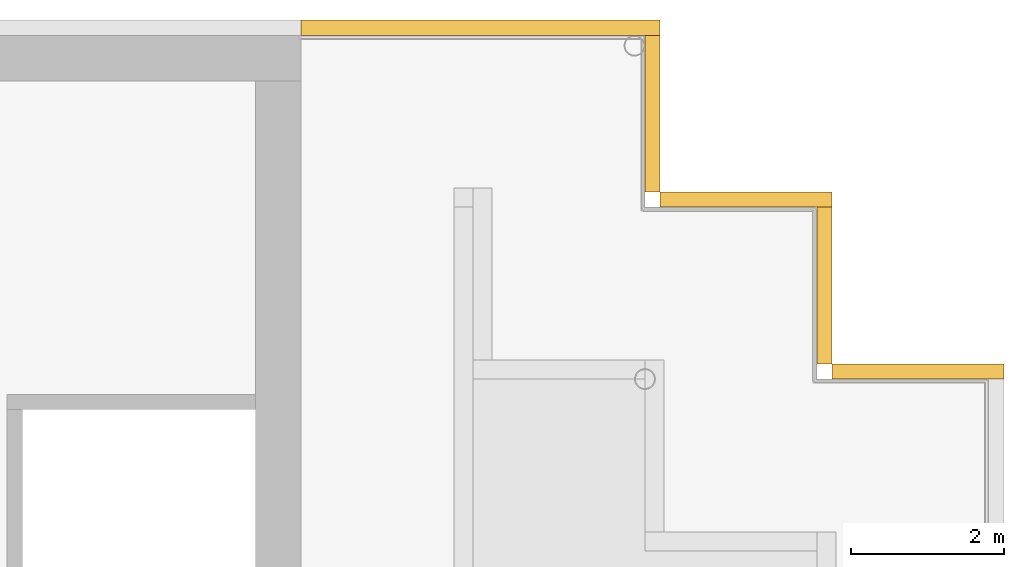
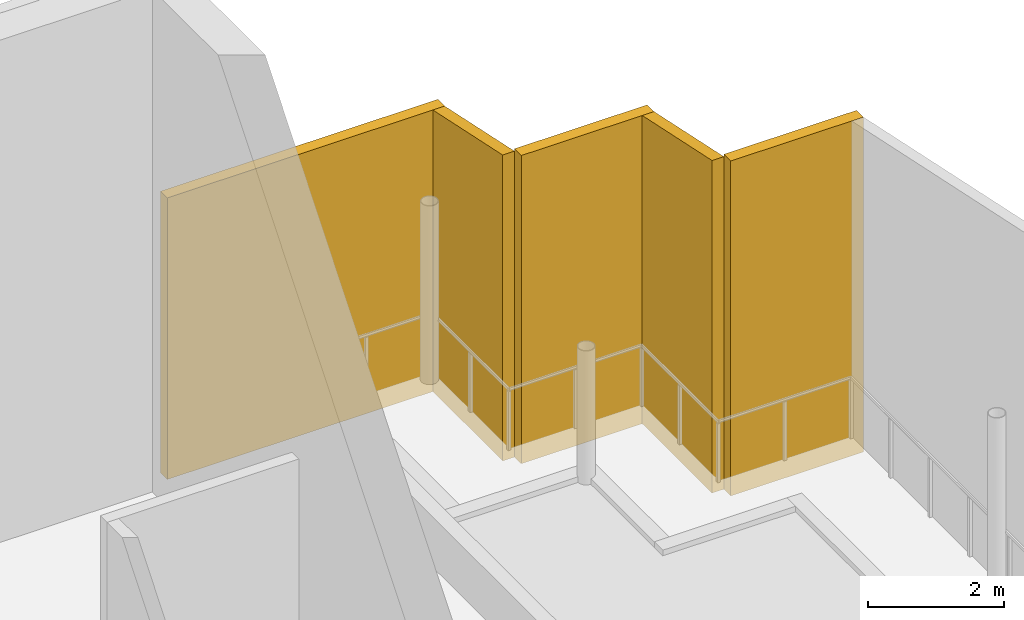
# One storey, part 8 of 9: 5 shading devices.
"""IFC4 building model written with IfcOpenShell, lengths in metres."""

from ifc_helpers import new_model, si_unit, direction, frame, origin, place, context, subcontext, project, spatial, polyline, outline, extrude, material, layer, layer_set, type_object, element, save


model = new_model("IFC4")

# Units and contexts
model_context = context("Model", 3, precision=1e-05, world=origin(), true_north=direction((0.0, 1.0)))
body_context = subcontext(model_context, "Body", "Model", "MODEL_VIEW")
ifc_project = project(units=[si_unit("LENGTHUNIT", "METRE"), si_unit("AREAUNIT", "SQUARE_METRE"), si_unit("VOLUMEUNIT", "CUBIC_METRE"), si_unit("PLANEANGLEUNIT", "RADIAN"), si_unit("MASSUNIT", "GRAM", prefix="KILO")], contexts=[model_context])

# Site, building, storey
site_placement = place(None, origin())
site = spatial("IfcSite", under=ifc_project, at=site_placement, CompositionType="ELEMENT")
building_placement = place(site_placement, origin())
building = spatial("IfcBuilding", under=site, at=building_placement, Name="Orbiselva Terraces", CompositionType="ELEMENT")
storey_placement = place(building_placement, frame((0.0, 0.0, 303.4)))
storey = spatial("IfcBuildingStorey", under=building, at=storey_placement, Name="L75", CompositionType="ELEMENT", Elevation=303.4)

# Shading devices
ifc_material = material(Name="Terracotta louvre blades", Category="masonry")
ifc_layer = layer(ifc_material, 0.2)
ifc_layer_set = layer_set([ifc_layer], Name="Terracotta louvre blades")
shading_device_type = type_object("IfcShadingDeviceType", Name="ENV-LOUVRE-WALL-200", PredefinedType="USERDEFINED", material=ifc_layer_set)
shading_device_1_placement = place(storey_placement, frame((22.7, 18.1, -0.35), z_axis=(0.0, 0.0, 1.0), x_axis=(-1.0, 0.0, 0.0)))
element("IfcShadingDevice", 1, at=shading_device_1_placement, inside=storey, type_object=shading_device_type, Name="Crown louvre screen STEP", ObjectType="LOUVRE", PredefinedType="USERDEFINED", context=body_context, shape_type="SweptSolid", body=[
    extrude(outline(polyline([(0.0, 0.0), (2.25, 0.0), (2.25, 6.0022), (0.0, 6.0022), (0.0, 0.0)])), frame((0.0, 0.1, 0.0), z_axis=(0.0, -1.0, 0.0), x_axis=(1.0, 0.0, 0.0)), (0.0, 0.0, 1.0), 0.2),
])
shading_device_2_placement = place(storey_placement, frame((20.35, 18.2, -0.35), z_axis=(0.0, 0.0, 1.0), x_axis=(0.0, 1.0, 0.0)))
element("IfcShadingDevice", 2, at=shading_device_2_placement, inside=storey, type_object=shading_device_type, Name="Crown louvre screen STEP", ObjectType="LOUVRE", PredefinedType="USERDEFINED", context=body_context, shape_type="SweptSolid", body=[
    extrude(outline(polyline([(0.0, 0.0), (2.05, 0.0), (2.05, 5.524), (0.0, 5.9597), (0.0, 0.0)])), frame((0.0, 0.1, 0.0), z_axis=(0.0, -1.0, 0.0), x_axis=(1.0, 0.0, 0.0)), (0.0, 0.0, 1.0), 0.2),
])
shading_device_3_placement = place(storey_placement, frame((20.45, 20.35, -0.35), z_axis=(0.0, 0.0, 1.0), x_axis=(-1.0, 0.0, 0.0)))
element("IfcShadingDevice", 3, at=shading_device_3_placement, inside=storey, type_object=shading_device_type, Name="Crown louvre screen STEP", ObjectType="LOUVRE", PredefinedType="USERDEFINED", context=body_context, shape_type="SweptSolid", body=[
    extrude(outline(polyline([(0.0, 0.0), (2.25, 0.0), (2.25, 5.524), (0.0, 5.524), (0.0, 0.0)])), frame((0.0, 0.1, 0.0), z_axis=(0.0, -1.0, 0.0), x_axis=(1.0, 0.0, 0.0)), (0.0, 0.0, 1.0), 0.2),
])
shading_device_4_placement = place(storey_placement, frame((18.1, 20.45, -0.35), z_axis=(0.0, 0.0, 1.0), x_axis=(0.0, 1.0, 0.0)))
element("IfcShadingDevice", 4, at=shading_device_4_placement, inside=storey, type_object=shading_device_type, Name="Crown louvre screen STEP", ObjectType="LOUVRE", PredefinedType="USERDEFINED", context=body_context, shape_type="SweptSolid", body=[
    extrude(outline(polyline([(0.0, 0.0), (2.05, 0.0), (2.05, 5.0457), (0.0, 5.4815), (0.0, 0.0)])), frame((0.0, 0.1, 0.0), z_axis=(0.0, -1.0, 0.0), x_axis=(1.0, 0.0, 0.0)), (0.0, 0.0, 1.0), 0.2),
])
shading_device_5_placement = place(storey_placement, frame((18.2, 22.6, -0.35), z_axis=(0.0, 0.0, 1.0), x_axis=(-1.0, 0.0, 0.0)))
element("IfcShadingDevice", 5, at=shading_device_5_placement, inside=storey, type_object=shading_device_type, Name="Crown louvre screen NE", ObjectType="LOUVRE", PredefinedType="USERDEFINED", context=body_context, shape_type="SweptSolid", body=[
    extrude(outline(polyline([(0.0, 0.0), (4.7, 0.0), (4.7, 5.0457), (0.0, 5.0457), (0.0, 0.0)])), frame((0.0, 0.1, 0.0), z_axis=(0.0, -1.0, 0.0), x_axis=(1.0, 0.0, 0.0)), (0.0, 0.0, 1.0), 0.2),
])

save(model, "model.ifc")
